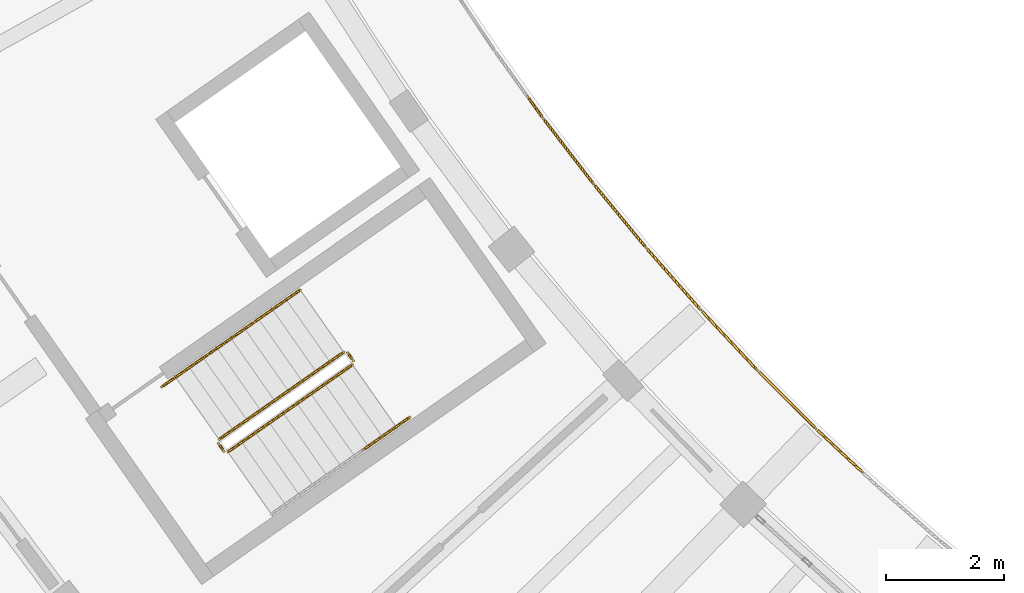
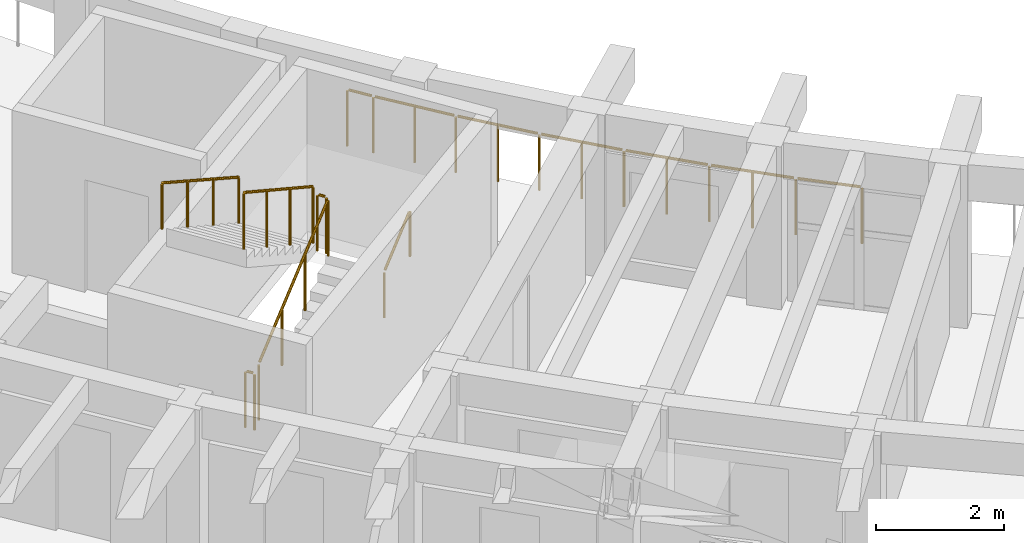
# One storey, part 53 of 69: 9 railings.
"""IFC4 building model written with IfcOpenShell, lengths in metres."""

from ifc_helpers import new_model, si_unit, direction, frame, origin, origin_2d, place, context, subcontext, project, spatial, circle, extrude, material, type_object, element, save


model = new_model("IFC4")

# Units and contexts
model_context = context("Model", 3, precision=1e-05, world=origin(), true_north=direction((0.0, 1.0)))
body_context = subcontext(model_context, "Body", "Model", "MODEL_VIEW")
ifc_project = project(units=[si_unit("LENGTHUNIT", "METRE"), si_unit("AREAUNIT", "SQUARE_METRE"), si_unit("VOLUMEUNIT", "CUBIC_METRE"), si_unit("PLANEANGLEUNIT", "RADIAN"), si_unit("MASSUNIT", "GRAM", prefix="KILO")], contexts=[model_context])

# Site, building, storey
site_placement = place(None, origin())
site = spatial("IfcSite", under=ifc_project, at=site_placement, CompositionType="ELEMENT")
building_placement = place(site_placement, origin())
building = spatial("IfcBuilding", under=site, at=building_placement, Name="Tanwirah Colonnade Gardens", CompositionType="ELEMENT")
storey_placement = place(building_placement, frame((0.0, 0.0, 15.56005859375)))
storey = spatial("IfcBuildingStorey", under=building, at=storey_placement, Name="L04", CompositionType="ELEMENT", Elevation=15.56005859375)

# Railings
ifc_material_1 = material(Name="Precast concrete C40/50", Category="concrete")
railing_type_1 = type_object("IfcRailingType", Name="BAL-EXT110", PredefinedType="BALUSTRADE", material=ifc_material_1)
railing_1_placement = place(storey_placement, frame((30.484375, 39.403564453125, 0.0)))
element("IfcRailing", 1, at=railing_1_placement, inside=storey, type_object=railing_type_1, Name="Block C L04 Balcony Ribbon Balustrade 3", PredefinedType="BALUSTRADE", context=body_context, shape_type="SweptSolid", body=[
    extrude(circle(Radius=0.02392578125, at=origin_2d()), frame((0.018310546875, -0.025390625, 1.076171875), z_axis=(0.583501451955, -0.812112095444, 0.0), x_axis=(0.812112095444, 0.583501451955, 0.0)), (0.0, 0.0, 1.0), 0.385986328125),
    extrude(circle(Radius=0.02392578125, at=origin_2d()), frame((0.2822265625, -0.391357421875, 1.076171875), z_axis=(0.609651512095, -0.792669561546, 0.0), x_axis=(0.792669561546, 0.609651512095, 0.0)), (0.0, 0.0, 1.0), 1.33154296875),
    extrude(circle(Radius=0.02392578125, at=origin_2d()), frame((1.134521484375, -1.49755859375, 1.076171875), z_axis=(0.635209885743, -0.77233956331, 0.0), x_axis=(0.77233956331, 0.635209885743, 0.0)), (0.0, 0.0, 1.0), 1.33154296875),
    extrude(circle(Radius=0.02392578125, at=origin_2d()), frame((2.022705078125, -2.57568359375, 1.076171875), z_axis=(0.660288280901, -0.751012240982, 0.0), x_axis=(0.751012240982, 0.660288280901, 0.0)), (0.0, 0.0, 1.0), 1.33154296875),
    extrude(circle(Radius=0.02392578125, at=origin_2d()), frame((2.945556640625, -3.623779296875, 1.076171875), z_axis=(0.684424509294, -0.729083733928, 0.0), x_axis=(0.729083733928, 0.684424509294, 0.0)), (0.0, 0.0, 1.0), 1.33154296875),
    extrude(circle(Radius=0.02392578125, at=origin_2d()), frame((3.902099609375, -4.641357421875, 1.076171875), z_axis=(0.707894448134, -0.706318235855, 0.0), x_axis=(0.706318235855, 0.707894448134, 0.0)), (0.0, 0.0, 1.0), 1.33154296875),
    extrude(circle(Radius=0.02392578125, at=origin_2d()), frame((4.8916015625, -5.627197265625, 1.076171875), z_axis=(0.730536879767, -0.682873243948, 0.0), x_axis=(0.682873243948, 0.730536879767, 0.0)), (0.0, 0.0, 1.0), 1.0029296875),
    extrude(circle(Radius=0.02099609375, at=origin_2d()), origin(), (0.0, 0.0, 1.0), 1.049072265625),
    extrude(circle(Radius=0.02099609375, at=origin_2d()), frame((0.26171875, -0.3642578125, 0.0)), (0.0, 0.0, 1.0), 1.049072265625),
    extrude(circle(Radius=0.02099609375, at=origin_2d()), frame((0.68798828125, -0.9189453125, 0.0)), (0.0, 0.0, 1.0), 1.049072265625),
    extrude(circle(Radius=0.02099609375, at=origin_2d()), frame((1.113037109375, -1.471435546875, 0.0)), (0.0, 0.0, 1.0), 1.049072265625),
    extrude(circle(Radius=0.02099609375, at=origin_2d()), frame((1.5576171875, -2.01171875, 0.0)), (0.0, 0.0, 1.0), 1.049072265625),
    extrude(circle(Radius=0.02099609375, at=origin_2d()), frame((2.000244140625, -2.550048828125, 0.0)), (0.0, 0.0, 1.0), 1.049072265625),
    extrude(circle(Radius=0.02099609375, at=origin_2d()), frame((2.462158203125, -3.07568359375, 0.0)), (0.0, 0.0, 1.0), 1.049072265625),
    extrude(circle(Radius=0.02099609375, at=origin_2d()), frame((2.92236328125, -3.59912109375, 0.0)), (0.0, 0.0, 1.0), 1.049072265625),
    extrude(circle(Radius=0.02099609375, at=origin_2d()), frame((3.401123046875, -4.109375, 0.0)), (0.0, 0.0, 1.0), 1.049072265625),
    extrude(circle(Radius=0.02099609375, at=origin_2d()), frame((3.878173828125, -4.617431640625, 0.0)), (0.0, 0.0, 1.0), 1.049072265625),
    extrude(circle(Radius=0.02099609375, at=origin_2d()), frame((4.373291015625, -5.11181640625, 0.0)), (0.0, 0.0, 1.0), 1.049072265625),
    extrude(circle(Radius=0.02099609375, at=origin_2d()), frame((4.86669921875, -5.60400390625, 0.0)), (0.0, 0.0, 1.0), 1.049072265625),
    extrude(circle(Radius=0.02099609375, at=origin_2d()), frame((5.64697265625, -6.33349609375, 0.0)), (0.0, 0.0, 1.0), 1.049072265625),
])
ifc_material_2 = material(Name="Powder-coated galvanized steel", Category="steel")
railing_type_2 = type_object("IfcRailingType", Name="GRD-ST110", PredefinedType="GUARDRAIL", material=ifc_material_2)
railing_2_placement = place(storey_placement, frame((25.426513671875, 33.40869140625, 0.16796875)))
element("IfcRailing", 2, at=railing_2_placement, inside=storey, type_object=railing_type_2, Name="L04 ST-C1 stair guard 1", PredefinedType="GUARDRAIL", context=body_context, shape_type="SweptSolid", body=[
    extrude(circle(Radius=0.02392578125, at=origin_2d()), frame((0.02197265625, 0.015380859375, 1.092041015625), z_axis=(0.705672637115, 0.494118441931, 0.507812066193), x_axis=(-0.573577325805, 0.819151421486, 0.0)), (0.0, 0.0, 1.0), 2.914794921875),
    extrude(circle(Radius=0.02099609375, at=origin_2d()), origin(), (0.0, 0.0, 1.0), 1.049072265625),
    extrude(circle(Radius=0.02099609375, at=origin_2d()), frame((0.700439453125, 0.490478515625, 0.50390625)), (0.0, 0.0, 1.0), 1.049072265625),
    extrude(circle(Radius=0.02099609375, at=origin_2d()), frame((1.400634765625, 0.980712890625, 1.008056640625)), (0.0, 0.0, 1.0), 1.049072265625),
    extrude(circle(Radius=0.02099609375, at=origin_2d()), frame((2.10107421875, 1.47119140625, 1.511962890625)), (0.0, 0.0, 1.0), 1.049072265625),
])
railing_3_placement = place(storey_placement, frame((27.539794921875, 34.94970703125, 1.679931640625)))
element("IfcRailing", 3, at=railing_3_placement, inside=storey, type_object=railing_type_2, Name="L04 ST-C1 stair guard 2", PredefinedType="GUARDRAIL", context=body_context, shape_type="SweptSolid", body=[
    extrude(circle(Radius=0.02392578125, at=origin_2d()), frame((-0.01806640625, 0.025634765625, 1.076171875), z_axis=(-0.57428210862, 0.81865747399, 0.0), x_axis=(-0.81865747399, -0.57428210862, 0.0)), (0.0, 0.0, 1.0), 0.097412109375),
    extrude(circle(Radius=0.02099609375, at=origin_2d()), origin(), (0.0, 0.0, 1.0), 1.049072265625),
    extrude(circle(Radius=0.02099609375, at=origin_2d()), frame((-0.091796875, 0.130859375, 0.0)), (0.0, 0.0, 1.0), 1.049072265625),
])
railing_4_placement = place(storey_placement, frame((27.37841796875, 35.093017578125, 1.847900390625)))
element("IfcRailing", 4, at=railing_4_placement, inside=storey, type_object=railing_type_2, Name="L04 ST-C1 stair guard 3", PredefinedType="GUARDRAIL", context=body_context, shape_type="SweptSolid", body=[
    extrude(circle(Radius=0.02392578125, at=origin_2d()), frame((-0.02197265625, -0.015380859375, 1.092041015625), z_axis=(-0.705672637115, -0.494118441931, 0.507812066193), x_axis=(0.573577325805, -0.819151421486, 0.0)), (0.0, 0.0, 1.0), 2.914794921875),
    extrude(circle(Radius=0.02099609375, at=origin_2d()), origin(), (0.0, 0.0, 1.0), 1.049072265625),
    extrude(circle(Radius=0.02099609375, at=origin_2d()), frame((-0.700439453125, -0.490478515625, 0.50390625)), (0.0, 0.0, 1.0), 1.049072265625),
    extrude(circle(Radius=0.02099609375, at=origin_2d()), frame((-1.400634765625, -0.980712890625, 1.008056640625)), (0.0, 0.0, 1.0), 1.049072265625),
    extrude(circle(Radius=0.02099609375, at=origin_2d()), frame((-2.10107421875, -1.47119140625, 1.511962890625)), (0.0, 0.0, 1.0), 1.049072265625),
])
railing_5_placement = place(storey_placement, frame((25.356689453125, 33.4208984375, 0.0)))
element("IfcRailing", 5, at=railing_5_placement, inside=storey, type_object=railing_type_2, Name="L04 ST-C1 stair guard 4", PredefinedType="GUARDRAIL", context=body_context, shape_type="SweptSolid", body=[
    extrude(circle(Radius=0.02392578125, at=origin_2d()), frame((-0.017822265625, 0.025634765625, 1.076171875), z_axis=(-0.57356471828, 0.819160249246, 0.0), x_axis=(-0.819160249246, -0.57356471828, 0.0)), (0.0, 0.0, 1.0), 0.097412109375),
    extrude(circle(Radius=0.02099609375, at=origin_2d()), origin(), (0.0, 0.0, 1.0), 1.049072265625),
    extrude(circle(Radius=0.02099609375, at=origin_2d()), frame((-0.091796875, 0.131103515625, 0.0)), (0.0, 0.0, 1.0), 1.049072265625),
])
ifc_material_3 = material(Name="Brushed bronze stainless steel", Category="steel")
railing_type_3 = type_object("IfcRailingType", Name="HR-ST090", PredefinedType="HANDRAIL", material=ifc_material_3)
railing_6_placement = place(storey_placement, frame((27.717041015625, 33.449951171875, 1.300048828125)))
element("IfcRailing", 6, at=railing_6_placement, inside=storey, type_object=railing_type_3, Name="L04 ST-C1 stair handrail 3", PredefinedType="HANDRAIL", context=body_context, shape_type="SweptSolid", body=[
    extrude(circle(Radius=0.02392578125, at=origin_2d()), frame((0.02197265625, 0.015380859375, 0.891845703125), z_axis=(0.703686044561, 0.492823109966, 0.511811814023), x_axis=(-0.57365206981, 0.819099079967, 0.0)), (0.0, 0.0, 1.0), 1.043212890625),
    extrude(circle(Radius=0.02099609375, at=origin_2d()), origin(), (0.0, 0.0, 1.0), 0.848876953125),
    extrude(circle(Radius=0.02099609375, at=origin_2d()), frame((0.778076171875, 0.544921875, 0.56591796875)), (0.0, 0.0, 1.0), 0.848876953125),
])
railing_7_placement = place(storey_placement, frame((26.644287109375, 36.141357421875, 1.847900390625)))
element("IfcRailing", 7, at=railing_7_placement, inside=storey, type_object=railing_type_3, Name="L04 ST-C1 stair handrail 4", PredefinedType="HANDRAIL", context=body_context, shape_type="SweptSolid", body=[
    extrude(circle(Radius=0.02392578125, at=origin_2d()), frame((-0.02197265625, -0.015380859375, 0.891845703125), z_axis=(-0.703717970253, -0.492690875033, 0.511895223656), x_axis=(0.573531324472, -0.819183630115, 0.0)), (0.0, 0.0, 1.0), 1.04345703125),
    extrude(circle(Radius=0.02099609375, at=origin_2d()), origin(), (0.0, 0.0, 1.0), 0.848876953125),
    extrude(circle(Radius=0.02099609375, at=origin_2d()), frame((-0.7783203125, -0.544921875, 0.566162109375)), (0.0, 0.0, 1.0), 0.848876953125),
])
railing_8_placement = place(storey_placement, frame((25.865966796875, 35.596435546875, 2.4140625)))
element("IfcRailing", 8, at=railing_8_placement, inside=storey, type_object=railing_type_3, Name="L04 ST-C1 stair handrail 5", PredefinedType="HANDRAIL", context=body_context, shape_type="SweptSolid", body=[
    extrude(circle(Radius=0.02392578125, at=origin_2d()), frame((-0.02197265625, -0.015380859375, 0.891845703125), z_axis=(-0.703762611354, -0.492655910239, 0.511867503332), x_axis=(0.573479595945, -0.819219844141, 0.0)), (0.0, 0.0, 1.0), 1.04296875),
    extrude(circle(Radius=0.02099609375, at=origin_2d()), origin(), (0.0, 0.0, 1.0), 0.848876953125),
    extrude(circle(Radius=0.02099609375, at=origin_2d()), frame((-0.778076171875, -0.544677734375, 0.56591796875)), (0.0, 0.0, 1.0), 0.848876953125),
])
railing_9_placement = place(storey_placement, frame((25.087890625, 35.0517578125, 2.97998046875)))
element("IfcRailing", 9, at=railing_9_placement, inside=storey, type_object=railing_type_3, Name="L04 ST-C1 stair handrail 6", PredefinedType="HANDRAIL", context=body_context, shape_type="SweptSolid", body=[
    extrude(circle(Radius=0.02392578125, at=origin_2d()), frame((-0.02197265625, -0.015380859375, 0.891845703125), z_axis=(-0.703797483594, -0.492746544348, 0.511732298297), x_axis=(0.573531324472, -0.819183630115, 0.0)), (0.0, 0.0, 1.0), 1.04345703125),
    extrude(circle(Radius=0.02099609375, at=origin_2d()), origin(), (0.0, 0.0, 1.0), 0.848876953125),
    extrude(circle(Radius=0.02099609375, at=origin_2d()), frame((-0.7783203125, -0.544921875, 0.56591796875)), (0.0, 0.0, 1.0), 0.848876953125),
])

save(model, "model.ifc")
